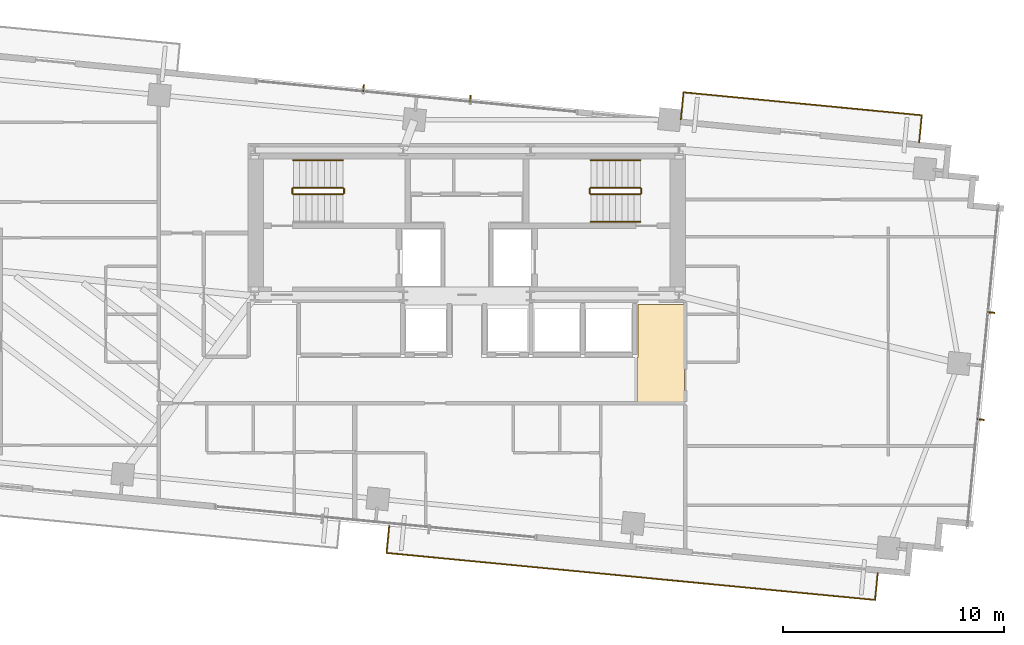
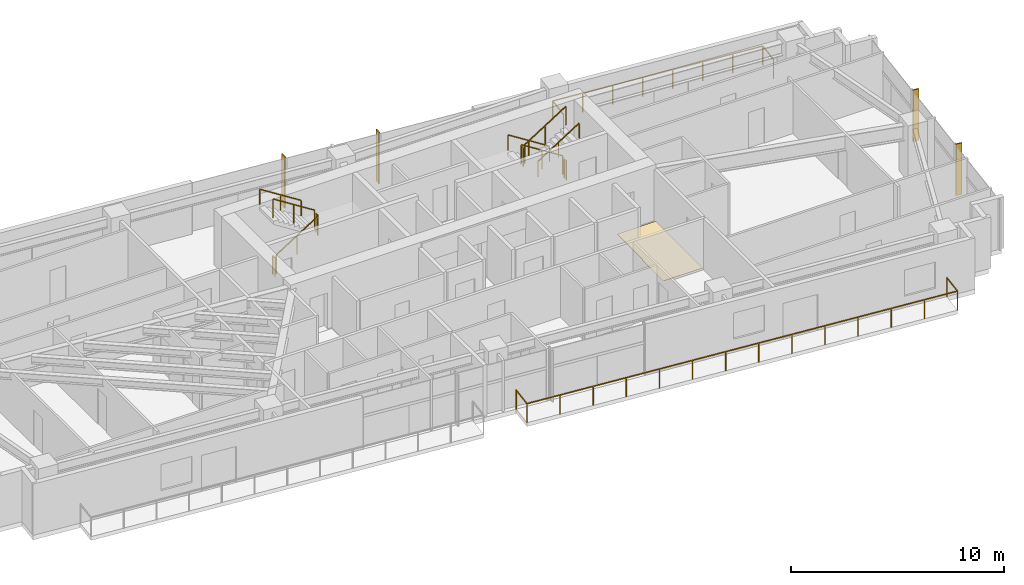
# One storey, part 20 of 20: 13 railings, 4 shading devices, 1 covering.
"""IFC4 building model written with IfcOpenShell, lengths in metres."""

from ifc_helpers import new_model, si_unit, direction, frame, origin, origin_2d, place, context, subcontext, project, spatial, polyline, rectangle, outline, extrude, source, transform, mapped, material, layer, layer_set, type_object, type_shapes, element, save


model = new_model("IFC4")

# Units and contexts
model_context = context("Model", 3, precision=1e-05, world=origin(), true_north=direction((0.0, 1.0)))
body_context = subcontext(model_context, "Body", "Model", "MODEL_VIEW")
ifc_project = project(units=[si_unit("LENGTHUNIT", "METRE"), si_unit("AREAUNIT", "SQUARE_METRE"), si_unit("VOLUMEUNIT", "CUBIC_METRE"), si_unit("PLANEANGLEUNIT", "RADIAN"), si_unit("MASSUNIT", "GRAM", prefix="KILO")], contexts=[model_context])

# Site, building, storey
site_placement = place(None, origin())
site = spatial("IfcSite", under=ifc_project, at=site_placement, CompositionType="ELEMENT")
building_placement = place(site_placement, origin())
building = spatial("IfcBuilding", under=site, at=building_placement, Name="Astriad Promenade Condominiums", CompositionType="ELEMENT")
storey_placement = place(building_placement, frame((0.0, 0.0, 127.800048828125)))
storey = spatial("IfcBuildingStorey", under=building, at=storey_placement, Name="L36", CompositionType="ELEMENT", Elevation=127.800048828125)

# Covering
ifc_material_1 = material(Name="Polished Lakefront Terrazzo Flooring")
ifc_layer = layer(ifc_material_1, 0.02001953125)
ifc_layer_set = layer_set([ifc_layer], Name="Polished Lakefront Terrazzo Flooring")
covering_type = type_object("IfcCoveringType", Name="COV-FLOR-TERRAZZO-20", PredefinedType="FLOORING", material=ifc_layer_set)
covering_placement = place(storey_placement, origin())
element("IfcCovering", 1, at=covering_placement, inside=storey, type_object=covering_type, Name="FLR-L36-COR-1", PredefinedType="FLOORING", context=body_context, shape_type="SweptSolid", body=[
    extrude(outline(polyline([(43.699951171875, 12.590087890625), (43.699951171875, 14.610107421875), (43.703857421875, 14.610107421875), (43.707763671875, 14.61083984375), (43.711669921875, 14.61181640625), (43.71533203125, 14.613037109375), (43.718994140625, 14.61474609375), (43.72216796875, 14.61669921875), (43.725341796875, 14.619140625), (43.728271484375, 14.62158203125), (43.73095703125, 14.62451171875), (43.7333984375, 14.627685546875), (43.7353515625, 14.631103515625), (43.737060546875, 14.634765625), (43.73828125, 14.638427734375), (43.7392578125, 14.64208984375), (43.73974609375, 14.64599609375), (43.739990234375, 14.64990234375), (43.739990234375, 17.010009765625), (45.840087890625, 17.010009765625), (45.840087890625, 12.590087890625), (43.699951171875, 12.590087890625)])), origin(), (0.0, 0.0, 1.0), 0.02001953125),
])

# Shading devices
ifc_material_2 = material(Name="Anodised aluminium 6063-T6 Black Fin", Category="aluminium")
shading_device_type = type_object("IfcShadingDeviceType", Name="FIN-BLACK-260", PredefinedType="USERDEFINED", material=ifc_material_2)
shared_shape_1 = source(origin(), body_context, "Body", "SweptSolid", [
    extrude(rectangle(XDim=0.06494140625, YDim=0.320068359375, at=origin_2d()), origin(), (0.0, 0.0, 1.0), 2.93994140625),
])
type_shapes(shading_device_type, [shared_shape_1])
for number, where, z_axis, x_axis, name in (
    (2, (31.3212890625, 26.7978515625, 0.0), (0.0, 0.0, 1.0), (0.995396198367, -0.09584575252, 0.0), "CW-L36-N-FIN-01"),
    (3, (36.1591796875, 26.331787109375, 0.0), (0.0, 0.0, 1.0), (0.995396198367, -0.09584575252, 0.0), "CW-L36-N-FIN-02"),
    (4, (59.7197265625, 16.652587890625, 0.0), (0.0, 0.0, 1.0), (-0.09584575252, -0.995396198367, 0.0), "CW-L36-E-FIN-01"),
    (5, (59.25341796875, 11.808349609375, 0.0), (0.0, 0.0, 1.0), (-0.09584575252, -0.995396198367, 0.0), "CW-L36-E-FIN-02"),
):
    element("IfcShadingDevice", number, at=place(storey_placement, frame(where, z_axis=z_axis, x_axis=x_axis)), inside=storey, type_object=shading_device_type, Name=name, ObjectType="FIN", PredefinedType="USERDEFINED", context=body_context, shape_type="MappedRepresentation", body=[
        mapped(shared_shape_1, transform((0.0, 0.0, 0.0), scale=1.0)),
    ])

# Railings
ifc_material_3 = material(Name="Laminated Glass and Stainless Steel Balustrade", Category="steel")
railing_type_1 = type_object("IfcRailingType", Name="GRD-BALC-1120", PredefinedType="BALUSTRADE", material=ifc_material_3)
shared_shape_2 = source(origin(), body_context, "Body", "SweptSolid", [
    extrude(rectangle(XDim=0.048095703125, YDim=0.048095703125, at=origin_2d()), frame((0.0, 0.0, 1.09619140625), z_axis=(-0.095659020692, -0.99541416092, 0.0), x_axis=(0.99541416092, -0.095659020692, 0.0)), (0.0, 0.0, 1.0), 1.219970703125),
    extrude(rectangle(XDim=0.048095703125, YDim=0.048095703125, at=origin_2d()), frame((-0.11669921875, -1.21435546875, 1.09619140625), z_axis=(0.995396636299, -0.095841204312, 0.0), x_axis=(0.095841204312, 0.995396636299, 0.0)), (0.0, 0.0, 1.0), 22.212890625),
    extrude(rectangle(XDim=0.048095703125, YDim=0.048095703125, at=origin_2d()), frame((21.993896484375, -3.34326171875, 1.09619140625), z_axis=(0.095857307208, 0.99539508571, 0.0), x_axis=(-0.99539508571, 0.095857307208, 0.0)), (0.0, 0.0, 1.0), 1.219970703125),
    extrude(rectangle(XDim=0.0419921875, YDim=0.0419921875, at=origin_2d()), origin(), (0.0, 0.0, 1.0), 1.072021484375),
    extrude(rectangle(XDim=0.0419921875, YDim=0.0419921875, at=origin_2d()), frame((-0.11669921875, -1.21435546875, 0.0)), (0.0, 0.0, 1.0), 1.072021484375),
    extrude(rectangle(XDim=0.0419921875, YDim=0.0419921875, at=origin_2d()), frame((1.584228515625, -1.378173828125, 0.0)), (0.0, 0.0, 1.0), 1.072021484375),
    extrude(rectangle(XDim=0.0419921875, YDim=0.0419921875, at=origin_2d()), frame((3.284912109375, -1.5419921875, 0.0)), (0.0, 0.0, 1.0), 1.072021484375),
    extrude(rectangle(XDim=0.0419921875, YDim=0.0419921875, at=origin_2d()), frame((4.98583984375, -1.70556640625, 0.0)), (0.0, 0.0, 1.0), 1.072021484375),
    extrude(rectangle(XDim=0.0419921875, YDim=0.0419921875, at=origin_2d()), frame((6.6865234375, -1.869384765625, 0.0)), (0.0, 0.0, 1.0), 1.072021484375),
    extrude(rectangle(XDim=0.0419921875, YDim=0.0419921875, at=origin_2d()), frame((8.387451171875, -2.033203125, 0.0)), (0.0, 0.0, 1.0), 1.072021484375),
    extrude(rectangle(XDim=0.0419921875, YDim=0.0419921875, at=origin_2d()), frame((10.088134765625, -2.197021484375, 0.0)), (0.0, 0.0, 1.0), 1.072021484375),
    extrude(rectangle(XDim=0.0419921875, YDim=0.0419921875, at=origin_2d()), frame((11.7890625, -2.360595703125, 0.0)), (0.0, 0.0, 1.0), 1.072021484375),
    extrude(rectangle(XDim=0.0419921875, YDim=0.0419921875, at=origin_2d()), frame((13.48974609375, -2.5244140625, 0.0)), (0.0, 0.0, 1.0), 1.072021484375),
    extrude(rectangle(XDim=0.0419921875, YDim=0.0419921875, at=origin_2d()), frame((15.190673828125, -2.688232421875, 0.0)), (0.0, 0.0, 1.0), 1.072021484375),
    extrude(rectangle(XDim=0.0419921875, YDim=0.0419921875, at=origin_2d()), frame((16.891357421875, -2.85205078125, 0.0)), (0.0, 0.0, 1.0), 1.072021484375),
    extrude(rectangle(XDim=0.0419921875, YDim=0.0419921875, at=origin_2d()), frame((18.59228515625, -3.015625, 0.0)), (0.0, 0.0, 1.0), 1.072021484375),
    extrude(rectangle(XDim=0.0419921875, YDim=0.0419921875, at=origin_2d()), frame((20.29296875, -3.179443359375, 0.0)), (0.0, 0.0, 1.0), 1.072021484375),
    extrude(rectangle(XDim=0.0419921875, YDim=0.0419921875, at=origin_2d()), frame((21.993896484375, -3.34326171875, 0.0)), (0.0, 0.0, 1.0), 1.072021484375),
    extrude(rectangle(XDim=0.0419921875, YDim=0.0419921875, at=origin_2d()), frame((22.11083984375, -2.12890625, 0.0)), (0.0, 0.0, 1.0), 1.072021484375),
])
railing_1_placement = place(storey_placement, frame((32.480712890625, 6.9853515625, 0.0)))
element("IfcRailing", 6, at=railing_1_placement, inside=storey, type_object=railing_type_1, Name="GRD-BALC-L36-SE", PredefinedType="BALUSTRADE", context=body_context, shape_type="MappedRepresentation", body=[
    mapped(shared_shape_2, transform((0.0, 0.0, 0.0), scale=1.0)),
])
shared_shape_3 = source(origin(), body_context, "Body", "SweptSolid", [
    extrude(rectangle(XDim=0.048095703125, YDim=0.048095703125, at=origin_2d()), frame((0.0, 0.0, 1.09619140625), z_axis=(0.095857307208, 0.99539508571, 0.0), x_axis=(-0.99539508571, 0.095857307208, 0.0)), (0.0, 0.0, 1.0), 1.219970703125),
    extrude(rectangle(XDim=0.048095703125, YDim=0.048095703125, at=origin_2d()), frame((0.116943359375, 1.21435546875, 1.09619140625), z_axis=(-0.995396306163, 0.095844633011, 0.0), x_axis=(-0.095844633011, -0.995396306163, 0.0)), (0.0, 0.0, 1.0), 10.8359375),
    extrude(rectangle(XDim=0.048095703125, YDim=0.048095703125, at=origin_2d()), frame((-10.669189453125, 2.2529296875, 1.09619140625), z_axis=(-0.095857307208, -0.99539508571, 0.0), x_axis=(0.99539508571, -0.095857307208, 0.0)), (0.0, 0.0, 1.0), 1.219970703125),
    extrude(rectangle(XDim=0.0419921875, YDim=0.0419921875, at=origin_2d()), origin(), (0.0, 0.0, 1.0), 1.072021484375),
    extrude(rectangle(XDim=0.0419921875, YDim=0.0419921875, at=origin_2d()), frame((0.116943359375, 1.21435546875, 0.0)), (0.0, 0.0, 1.0), 1.072021484375),
    extrude(rectangle(XDim=0.0419921875, YDim=0.0419921875, at=origin_2d()), frame((-1.423828125, 1.36279296875, 0.0)), (0.0, 0.0, 1.0), 1.072021484375),
    extrude(rectangle(XDim=0.0419921875, YDim=0.0419921875, at=origin_2d()), frame((-2.96484375, 1.510986328125, 0.0)), (0.0, 0.0, 1.0), 1.072021484375),
    extrude(rectangle(XDim=0.0419921875, YDim=0.0419921875, at=origin_2d()), frame((-4.505615234375, 1.659423828125, 0.0)), (0.0, 0.0, 1.0), 1.072021484375),
    extrude(rectangle(XDim=0.0419921875, YDim=0.0419921875, at=origin_2d()), frame((-6.046630859375, 1.807861328125, 0.0)), (0.0, 0.0, 1.0), 1.072021484375),
    extrude(rectangle(XDim=0.0419921875, YDim=0.0419921875, at=origin_2d()), frame((-7.58740234375, 1.956298828125, 0.0)), (0.0, 0.0, 1.0), 1.072021484375),
    extrude(rectangle(XDim=0.0419921875, YDim=0.0419921875, at=origin_2d()), frame((-9.12841796875, 2.1044921875, 0.0)), (0.0, 0.0, 1.0), 1.072021484375),
    extrude(rectangle(XDim=0.0419921875, YDim=0.0419921875, at=origin_2d()), frame((-10.669189453125, 2.2529296875, 0.0)), (0.0, 0.0, 1.0), 1.072021484375),
    extrude(rectangle(XDim=0.0419921875, YDim=0.0419921875, at=origin_2d()), frame((-10.7861328125, 1.03857421875, 0.0)), (0.0, 0.0, 1.0), 1.072021484375),
])
type_shapes(railing_type_1, [shared_shape_2, shared_shape_3])
railing_2_placement = place(storey_placement, frame((56.47021484375, 24.3662109375, 0.0)))
element("IfcRailing", 7, at=railing_2_placement, inside=storey, type_object=railing_type_1, Name="GRD-BALC-L36-NE", PredefinedType="BALUSTRADE", context=body_context, shape_type="MappedRepresentation", body=[
    mapped(shared_shape_3, transform((0.0, 0.0, 0.0), scale=1.0)),
])
ifc_material_4 = material(Name="Painted Galvanised Steel Guardrail", Category="steel")
railing_type_2 = type_object("IfcRailingType", Name="GRD-STAIR-1100", PredefinedType="GUARDRAIL", material=ifc_material_4)
shared_shape_4 = source(origin(), body_context, "Body", "SweptSolid", [
    extrude(rectangle(XDim=0.048095703125, YDim=0.048095703125, at=origin_2d()), frame((0.0, 0.0, 1.076171875), z_axis=(0.0, 1.0, 0.0), x_axis=(-1.0, 0.0, 0.0)), (0.0, 0.0, 1.0), 0.199951171875),
    extrude(rectangle(XDim=0.0419921875, YDim=0.0419921875, at=origin_2d()), origin(), (0.0, 0.0, 1.0), 1.052001953125),
    extrude(rectangle(XDim=0.0419921875, YDim=0.0419921875, at=origin_2d()), frame((0.0, 0.199951171875, 0.0)), (0.0, 0.0, 1.0), 1.052001953125),
])
for number, where, name in (
    (8, (30.43994140625, 22.050048828125, 1.599853515625), "L36 ST-1 stair guard 2"),
    (9, (28.10009765625, 22.050048828125, 0.0), "L36 ST-1 stair guard 4"),
):
    element("IfcRailing", number, at=place(storey_placement, frame(where)), inside=storey, type_object=railing_type_2, Name=name, PredefinedType="GUARDRAIL", context=body_context, shape_type="MappedRepresentation", body=[
        mapped(shared_shape_4, transform((0.0, 0.0, 0.0), scale=1.0)),
    ])
shared_shape_5 = source(origin(), body_context, "Body", "SweptSolid", [
    extrude(rectangle(XDim=0.048095703125, YDim=0.048095703125, at=origin_2d()), frame((0.0, 0.0, 1.076171875), z_axis=(-0.8442293374, 0.0, 0.53598211339), x_axis=(0.0, -1.0, 0.0)), (0.0, 0.0, 1.0), 2.6533203125),
    extrude(rectangle(XDim=0.0419921875, YDim=0.0419921875, at=origin_2d()), origin(), (0.0, 0.0, 1.0), 1.052001953125),
    extrude(rectangle(XDim=0.0419921875, YDim=0.0419921875, at=origin_2d()), frame((-1.1201171875, 0.0, 0.7109375)), (0.0, 0.0, 1.0), 1.052001953125),
    extrude(rectangle(XDim=0.0419921875, YDim=0.0419921875, at=origin_2d()), frame((-2.239990234375, 0.0, 1.422119140625)), (0.0, 0.0, 1.0), 1.052001953125),
])
for number, where, name in (
    (10, (30.389892578125, 22.300048828125, 1.77783203125), "L36 ST-1 stair guard 3"),
    (11, (43.85009765625, 22.300048828125, 0.177734375), "L36 ST-2 stair guard 1"),
):
    element("IfcRailing", number, at=place(storey_placement, frame(where)), inside=storey, type_object=railing_type_2, Name=name, PredefinedType="GUARDRAIL", context=body_context, shape_type="MappedRepresentation", body=[
        mapped(shared_shape_5, transform((0.0, 0.0, 0.0), scale=1.0)),
    ])
ifc_material_5 = material(Name="Brushed Stainless Steel Handrail", Category="steel")
railing_type_3 = type_object("IfcRailingType", Name="HRL-STAIR-920", PredefinedType="HANDRAIL", material=ifc_material_5)
shared_shape_6 = source(origin(), body_context, "Body", "SweptSolid", [
    extrude(rectangle(XDim=0.048095703125, YDim=0.048095703125, at=origin_2d()), frame((0.0, 0.0, 0.8759765625), z_axis=(-0.8442293374, 0.0, 0.53598211339), x_axis=(0.0, -1.0, 0.0)), (0.0, 0.0, 1.0), 2.6533203125),
    extrude(rectangle(XDim=0.0419921875, YDim=0.0419921875, at=origin_2d()), origin(), (0.0, 0.0, 1.0), 0.851806640625),
    extrude(rectangle(XDim=0.0419921875, YDim=0.0419921875, at=origin_2d()), frame((-1.1201171875, 0.0, 0.7109375)), (0.0, 0.0, 1.0), 0.851806640625),
    extrude(rectangle(XDim=0.0419921875, YDim=0.0419921875, at=origin_2d()), frame((-2.239990234375, 0.0, 1.422119140625)), (0.0, 0.0, 1.0), 0.851806640625),
])
for number, where, name in (
    (12, (30.389892578125, 23.550048828125, 1.77783203125), "L36 ST-1 stair handrail 2"),
    (13, (43.85009765625, 23.550048828125, 0.177734375), "L36 ST-2 stair handrail 1"),
):
    element("IfcRailing", number, at=place(storey_placement, frame(where)), inside=storey, type_object=railing_type_3, Name=name, PredefinedType="HANDRAIL", context=body_context, shape_type="MappedRepresentation", body=[
        mapped(shared_shape_6, transform((0.0, 0.0, 0.0), scale=1.0)),
    ])
shared_shape_7 = source(origin(), body_context, "Body", "SweptSolid", [
    extrude(rectangle(XDim=0.048095703125, YDim=0.048095703125, at=origin_2d()), frame((0.0, 0.0, 1.076171875), z_axis=(0.8442293374, 0.0, 0.53598211339), x_axis=(0.0, 1.0, 0.0)), (0.0, 0.0, 1.0), 2.6533203125),
    extrude(rectangle(XDim=0.0419921875, YDim=0.0419921875, at=origin_2d()), origin(), (0.0, 0.0, 1.0), 1.052001953125),
    extrude(rectangle(XDim=0.0419921875, YDim=0.0419921875, at=origin_2d()), frame((1.1201171875, 0.0, 0.7109375)), (0.0, 0.0, 1.0), 1.052001953125),
    extrude(rectangle(XDim=0.0419921875, YDim=0.0419921875, at=origin_2d()), frame((2.239990234375, 0.0, 1.422119140625)), (0.0, 0.0, 1.0), 1.052001953125),
])
for number, where, name in (
    (14, (28.14990234375, 22.0, 0.177734375), "L36 ST-1 stair guard 1"),
    (15, (41.610107421875, 22.0, 1.77783203125), "L36 ST-2 stair guard 3"),
):
    element("IfcRailing", number, at=place(storey_placement, frame(where)), inside=storey, type_object=railing_type_2, Name=name, PredefinedType="GUARDRAIL", context=body_context, shape_type="MappedRepresentation", body=[
        mapped(shared_shape_7, transform((0.0, 0.0, 0.0), scale=1.0)),
    ])
shared_shape_8 = source(origin(), body_context, "Body", "SweptSolid", [
    extrude(rectangle(XDim=0.048095703125, YDim=0.048095703125, at=origin_2d()), frame((0.0, 0.0, 0.8759765625), z_axis=(0.8442293374, 0.0, 0.53598211339), x_axis=(0.0, 1.0, 0.0)), (0.0, 0.0, 1.0), 2.6533203125),
    extrude(rectangle(XDim=0.0419921875, YDim=0.0419921875, at=origin_2d()), origin(), (0.0, 0.0, 1.0), 0.851806640625),
    extrude(rectangle(XDim=0.0419921875, YDim=0.0419921875, at=origin_2d()), frame((1.1201171875, 0.0, 0.7109375)), (0.0, 0.0, 1.0), 0.851806640625),
    extrude(rectangle(XDim=0.0419921875, YDim=0.0419921875, at=origin_2d()), frame((2.239990234375, 0.0, 1.422119140625)), (0.0, 0.0, 1.0), 0.851806640625),
])
type_shapes(railing_type_3, [shared_shape_6, shared_shape_8])
railing_3_placement = place(storey_placement, frame((41.610107421875, 20.75, 1.77783203125)))
element("IfcRailing", 16, at=railing_3_placement, inside=storey, type_object=railing_type_3, Name="L36 ST-2 stair handrail 2", PredefinedType="HANDRAIL", context=body_context, shape_type="MappedRepresentation", body=[
    mapped(shared_shape_8, transform((0.0, 0.0, 0.0), scale=1.0)),
])
shared_shape_9 = source(origin(), body_context, "Body", "SweptSolid", [
    extrude(rectangle(XDim=0.048095703125, YDim=0.048095703125, at=origin_2d()), frame((0.0, 0.0, 1.076171875), z_axis=(0.0, -1.0, 0.0), x_axis=(1.0, 0.0, 0.0)), (0.0, 0.0, 1.0), 0.199951171875),
    extrude(rectangle(XDim=0.0419921875, YDim=0.0419921875, at=origin_2d()), origin(), (0.0, 0.0, 1.0), 1.052001953125),
    extrude(rectangle(XDim=0.0419921875, YDim=0.0419921875, at=origin_2d()), frame((0.0, -0.199951171875, 0.0)), (0.0, 0.0, 1.0), 1.052001953125),
])
type_shapes(railing_type_2, [shared_shape_4, shared_shape_5, shared_shape_7, shared_shape_9])
for number, where, name in (
    (17, (41.56005859375, 22.25, 1.599853515625), "L36 ST-2 stair guard 2"),
    (18, (43.89990234375, 22.25, 0.0), "L36 ST-2 stair guard 4"),
):
    element("IfcRailing", number, at=place(storey_placement, frame(where)), inside=storey, type_object=railing_type_2, Name=name, PredefinedType="GUARDRAIL", context=body_context, shape_type="MappedRepresentation", body=[
        mapped(shared_shape_9, transform((0.0, 0.0, 0.0), scale=1.0)),
    ])

save(model, "model.ifc")
